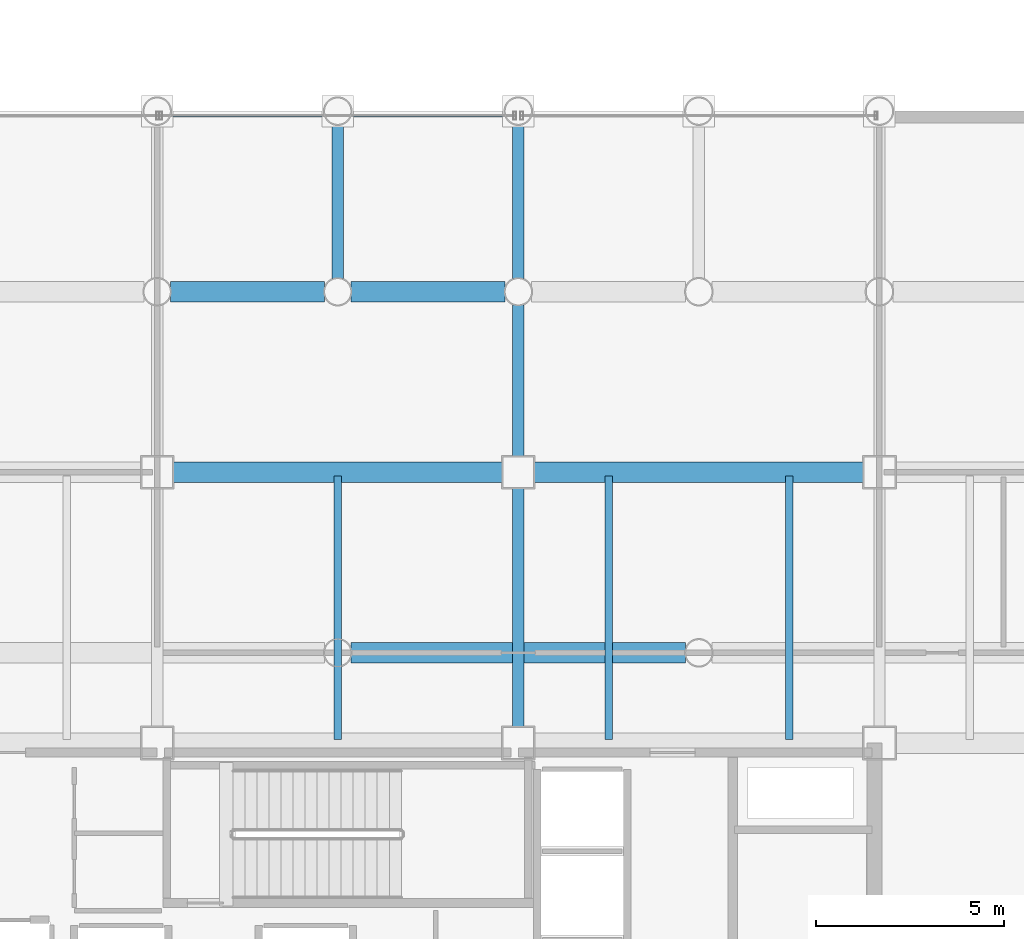
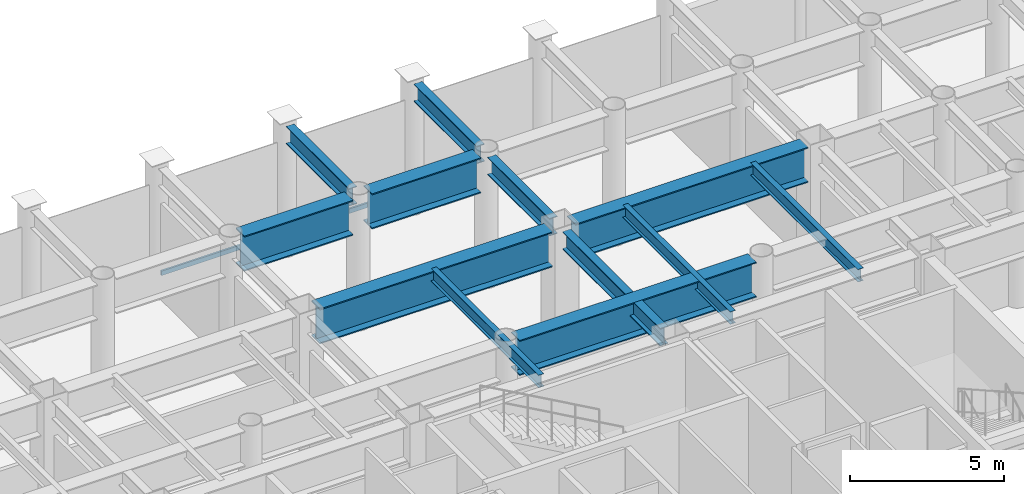
# One storey, part 9 of 20: 12 beams, 1 member, 1 element without a shape of its own.
"""IFC4 building model written with IfcOpenShell, lengths in metres."""

from ifc_helpers import new_model, si_unit, direction, frame, origin, origin_2d, place, context, subcontext, project, spatial, hollow_rectangle, i_section, extrude, material, layer, layer_set, material_profile, profile_set, type_object, element, aggregate, save


model = new_model("IFC4")

# Units and contexts
model_context = context("Model", 3, precision=1e-05, world=origin(), true_north=direction((0.0, 1.0)))
body_context = subcontext(model_context, "Body", "Model", "MODEL_VIEW")
ifc_project = project(units=[si_unit("LENGTHUNIT", "METRE"), si_unit("AREAUNIT", "SQUARE_METRE"), si_unit("VOLUMEUNIT", "CUBIC_METRE"), si_unit("PLANEANGLEUNIT", "RADIAN"), si_unit("MASSUNIT", "GRAM", prefix="KILO")], contexts=[model_context])

# Site, building, storey
site_placement = place(None, origin())
site = spatial("IfcSite", under=ifc_project, at=site_placement, CompositionType="ELEMENT")
building_placement = place(site_placement, origin())
building = spatial("IfcBuilding", under=site, at=building_placement, Name="Kallvorn Hotel Tower", CompositionType="ELEMENT")
storey_placement = place(building_placement, frame((0.0, 0.0, 24.60009765625)))
storey = spatial("IfcBuildingStorey", under=building, at=storey_placement, Name="L04", CompositionType="ELEMENT", Elevation=24.60009765625)

# Beams
ifc_material_1 = material(Name="Structural steel S355JR", Category="steel")
ifc_material_profile_1 = material_profile(ifc_material_1, i_section(OverallWidth=0.300048828125, OverallDepth=0.699951171875, WebThickness=0.01708984375, FlangeThickness=0.031982421875, at=origin_2d()), Name="HE 700 B")
ifc_profile_set_1 = profile_set([ifc_material_profile_1], Name="Structural steel S355JR")
beam_type_1 = type_object("IfcBeamType", Name="BM_HE700B", PredefinedType="BEAM", material=ifc_profile_set_1)
beam_1_placement = place(storey_placement, frame((0.0, 19.555908203125, 4.869873046875), z_axis=(0.0, 1.0, 0.0), x_axis=(-1.0, 0.0, 0.0)))
element("IfcBeam", 1, at=beam_1_placement, inside=storey, type_object=beam_type_1, Name="L05 Primary Y-Girder 135", PredefinedType="BEAM", context=body_context, shape_type="SweptSolid", body=[
    extrude(i_section(OverallWidth=0.300048828125, OverallDepth=0.699951171875, WebThickness=0.01708984375, FlangeThickness=0.031982421875, at=origin_2d()), origin(), (0.0, 0.0, 1.0), 4.088134765625),
])
beam_2_placement = place(storey_placement, frame((4.800048828125, 7.625, 4.869873046875), z_axis=(0.0, 1.0, 0.0), x_axis=(-1.0, 0.0, 0.0)))
element("IfcBeam", 2, at=beam_2_placement, inside=storey, type_object=beam_type_1, Name="L05 Primary Y-Girder 139", PredefinedType="BEAM", context=body_context, shape_type="SweptSolid", body=[
    extrude(i_section(OverallWidth=0.300048828125, OverallDepth=0.699951171875, WebThickness=0.01708984375, FlangeThickness=0.031982421875, at=origin_2d()), origin(), (0.0, 0.0, 1.0), 6.35009765625),
])
beam_3_placement = place(storey_placement, frame((4.800048828125, 14.824951171875, 4.869873046875), z_axis=(0.0, 1.0, 0.0), x_axis=(-1.0, 0.0, 0.0)))
element("IfcBeam", 3, at=beam_3_placement, inside=storey, type_object=beam_type_1, Name="L05 Primary Y-Girder 140", PredefinedType="BEAM", context=body_context, shape_type="SweptSolid", body=[
    extrude(i_section(OverallWidth=0.300048828125, OverallDepth=0.699951171875, WebThickness=0.01708984375, FlangeThickness=0.031982421875, at=origin_2d()), origin(), (0.0, 0.0, 1.0), 4.01904296875),
])
beam_4_placement = place(storey_placement, frame((4.800048828125, 19.555908203125, 4.869873046875), z_axis=(0.0, 1.0, 0.0), x_axis=(-1.0, 0.0, 0.0)))
element("IfcBeam", 4, at=beam_4_placement, inside=storey, type_object=beam_type_1, Name="L05 Primary Y-Girder 141", PredefinedType="BEAM", context=body_context, shape_type="SweptSolid", body=[
    extrude(i_section(OverallWidth=0.300048828125, OverallDepth=0.699951171875, WebThickness=0.01708984375, FlangeThickness=0.031982421875, at=origin_2d()), origin(), (0.0, 0.0, 1.0), 4.088134765625),
])
ifc_material_2 = material(Name="Structural steel S355JR", Category="steel")
ifc_material_profile_2 = material_profile(ifc_material_2, i_section(OverallWidth=0.199951171875, OverallDepth=0.5, WebThickness=0.01025390625, FlangeThickness=0.01611328125, at=origin_2d()), Name="IPE 500")
ifc_profile_set_2 = profile_set([ifc_material_profile_2], Name="Structural steel S355JR")
beam_type_2 = type_object("IfcBeamType", Name="BM_IPE500", PredefinedType="JOIST", material=ifc_profile_set_2)
for number, where, z_axis, x_axis, name in (
    (5, (0.0, 7.300048828125, 4.969970703125), (0.0, 1.0, 0.0), (-1.0, 0.0, 0.0), "L05 Secondary Composite Joist 230"),
    (6, (7.199951171875, 7.300048828125, 4.969970703125), (0.0, 1.0, 0.0), (-1.0, 0.0, 0.0), "L05 Secondary Composite Joist 232"),
    (7, (12.0, 7.300048828125, 4.969970703125), (0.0, 1.0, 0.0), (-1.0, 0.0, 0.0), "L05 Secondary Composite Joist 234"),
):
    element("IfcBeam", number, at=place(storey_placement, frame(where, z_axis=z_axis, x_axis=x_axis)), inside=storey, type_object=beam_type_2, Name=name, PredefinedType="JOIST", context=body_context, shape_type="SweptSolid", body=[
        extrude(i_section(OverallWidth=0.199951171875, OverallDepth=0.5, WebThickness=0.01025390625, FlangeThickness=0.01611328125, at=origin_2d()), origin(), (0.0, 0.0, 1.0), 7.0),
    ])
ifc_material_3 = material(Name="Structural steel S355JR", Category="steel")
ifc_material_profile_3 = material_profile(ifc_material_3, i_section(OverallWidth=0.550048828125, OverallDepth=1.39990234375, WebThickness=0.02490234375, FlangeThickness=0.044921875, at=origin_2d()), Name="PG 1400x550x25x45")
ifc_profile_set_3 = profile_set([ifc_material_profile_3], Name="Structural steel S355JR")
beam_type_3 = type_object("IfcBeamType", Name="BM_PG_1400", PredefinedType="BEAM", material=ifc_profile_set_3)
beam_5_placement = place(storey_placement, frame((0.35595703125, 9.60009765625, 4.52001953125), z_axis=(1.0, 0.0, 0.0), x_axis=(0.0, 1.0, 0.0)))
element("IfcBeam", 8, at=beam_5_placement, inside=storey, type_object=beam_type_3, Name="L05 Primary X-Girder 58", PredefinedType="BEAM", context=body_context, shape_type="SweptSolid", body=[
    extrude(i_section(OverallWidth=0.550048828125, OverallDepth=1.39990234375, WebThickness=0.02490234375, FlangeThickness=0.044921875, at=origin_2d()), origin(), (0.0, 0.0, 1.0), 8.887939453125),
])
for number, where, z_axis, x_axis, name in (
    (9, (-4.375, 14.39990234375, 4.52001953125), (1.0, 0.0, 0.0), (0.0, 1.0, 0.0), "L05 Primary X-Girder 68"),
    (10, (5.22509765625, 14.39990234375, 4.52001953125), (1.0, 0.0, 0.0), (0.0, 1.0, 0.0), "L05 Primary X-Girder 69"),
):
    element("IfcBeam", number, at=place(storey_placement, frame(where, z_axis=z_axis, x_axis=x_axis)), inside=storey, type_object=beam_type_3, Name=name, PredefinedType="BEAM", context=body_context, shape_type="SweptSolid", body=[
        extrude(i_section(OverallWidth=0.550048828125, OverallDepth=1.39990234375, WebThickness=0.02490234375, FlangeThickness=0.044921875, at=origin_2d()), origin(), (0.0, 0.0, 1.0), 8.75),
    ])
for number, where, z_axis, x_axis, name in (
    (11, (-4.444091796875, 19.199951171875, 4.52001953125), (1.0, 0.0, 0.0), (0.0, 1.0, 0.0), "L05 Primary X-Girder 80"),
    (12, (0.35595703125, 19.199951171875, 4.52001953125), (1.0, 0.0, 0.0), (0.0, 1.0, 0.0), "L05 Primary X-Girder 81"),
):
    element("IfcBeam", number, at=place(storey_placement, frame(where, z_axis=z_axis, x_axis=x_axis)), inside=storey, type_object=beam_type_3, Name=name, PredefinedType="BEAM", context=body_context, shape_type="SweptSolid", body=[
        extrude(i_section(OverallWidth=0.550048828125, OverallDepth=1.39990234375, WebThickness=0.02490234375, FlangeThickness=0.044921875, at=origin_2d()), origin(), (0.0, 0.0, 1.0), 4.088134765625),
    ])

# Curtain wall, member
ifc_material_4 = material(Name="Thermally broken black-anodised aluminium AA 6063-T6", Category="aluminium")
ifc_layer = layer(ifc_material_4, 0.219970703125)
ifc_layer_set = layer_set([ifc_layer], Name="CW_SYS_2_PODIUM_CASC")
curtain_wall_type = type_object("IfcCurtainWallType", Name="CW_SYS_2_PODIUM_CASC", PredefinedType="USERDEFINED", material=ifc_layer_set)
curtain_wall_placement = place(storey_placement, origin())
curtain_wall = element("IfcCurtainWall", 13, at=curtain_wall_placement, inside=storey, type_object=curtain_wall_type, Name="L04 Dark-Glass Curtain Wall CW-L04-N2", ObjectType="UNITISED CURTAIN WALL", PredefinedType="USERDEFINED")
ifc_material_5 = material(Name="Thermally broken black-anodised aluminium AA 6063-T6", Category="aluminium")
ifc_material_profile_4 = material_profile(ifc_material_5, hollow_rectangle(XDim=0.070068359375, YDim=0.179931640625, WallThickness=0.00390625, at=origin_2d()), Name="TRN 180x70")
ifc_profile_set_4 = profile_set([ifc_material_profile_4], Name="Thermally broken black-anodised aluminium AA 6063-T6")
member_type = type_object("IfcMemberType", Name="CW_TRANSOM_180x70", PredefinedType="USERDEFINED", material=ifc_profile_set_4)
member_placement = place(storey_placement, frame((-4.7099609375, 23.8798828125, 0.849853515625), z_axis=(1.0, 0.0, 0.0), x_axis=(0.0, 1.0, 0.0)))
member = element("IfcMember", 14, at=member_placement, type_object=member_type, Name="CW-L04-N2 Transom 00M", ObjectType="TRANSOM", PredefinedType="USERDEFINED", context=body_context, shape_type="SweptSolid", body=[
    extrude(hollow_rectangle(XDim=0.070068359375, YDim=0.179931640625, WallThickness=0.00390625, at=origin_2d()), origin(), (0.0, 0.0, 1.0), 9.419921875),
])
aggregate(curtain_wall, [member])

save(model, "model.ifc")
